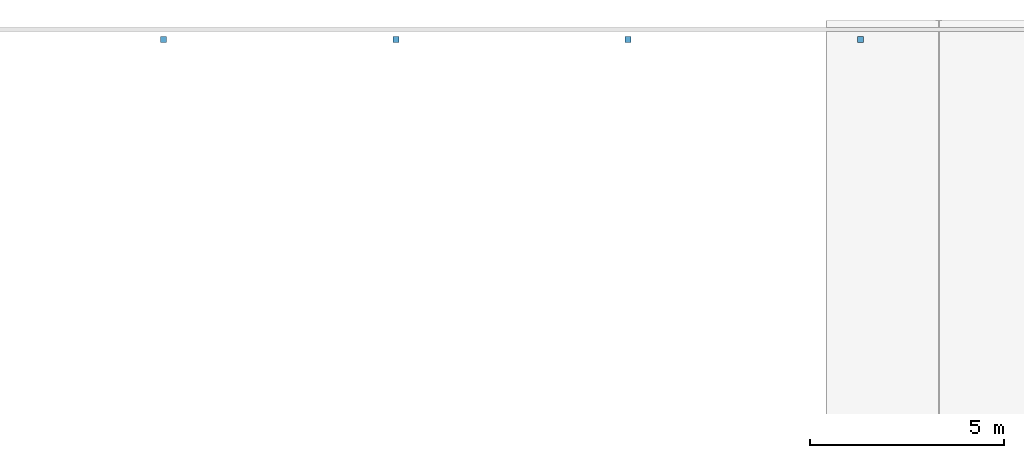
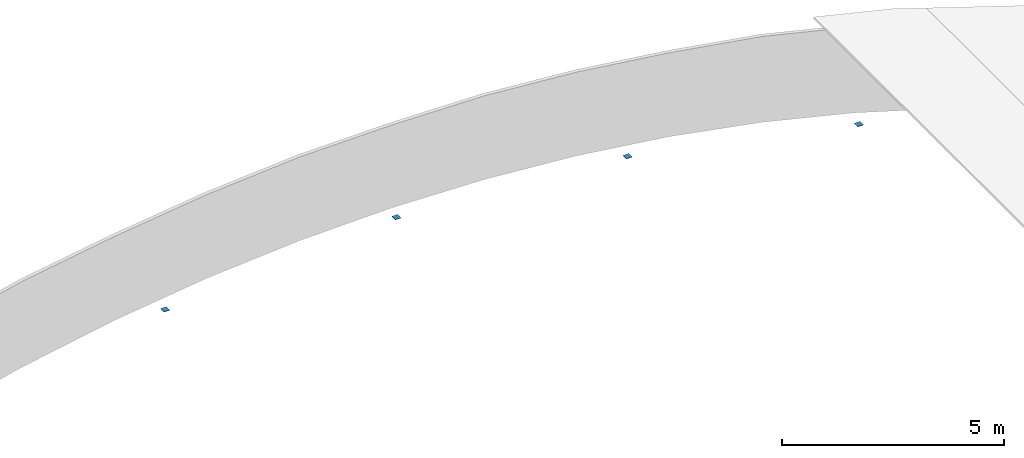
# One storey, part 12 of 17: 4 discrete accessories.
"""IFC4 building model written with IfcOpenShell, lengths in metres."""

from ifc_helpers import new_model, si_unit, direction, frame, origin, origin_2d, place, context, subcontext, project, spatial, rectangle, extrude, material, material_profile, profile_set, type_object, element, save


model = new_model("IFC4")

# Units and contexts
model_context = context("Model", 3, precision=1e-05, world=origin(), true_north=direction((0.0, 1.0)))
body_context = subcontext(model_context, "Body", "Model", "MODEL_VIEW")
ifc_project = project(units=[si_unit("LENGTHUNIT", "METRE"), si_unit("AREAUNIT", "SQUARE_METRE"), si_unit("VOLUMEUNIT", "CUBIC_METRE"), si_unit("PLANEANGLEUNIT", "RADIAN"), si_unit("MASSUNIT", "GRAM", prefix="KILO")], contexts=[model_context])

# Site, building, storey
site_placement = place(None, origin())
site = spatial("IfcSite", under=ifc_project, at=site_placement, CompositionType="ELEMENT")
building_placement = place(site_placement, origin())
building = spatial("IfcBuilding", under=site, at=building_placement, Name="Verrick Yard Athletic Hall", CompositionType="ELEMENT")
storey_placement = place(building_placement, frame((0.0, 0.0, 18.199951171875)))
storey = spatial("IfcBuildingStorey", under=building, at=storey_placement, Name="Roof", CompositionType="ELEMENT", Elevation=18.199951171875)

# Discrete accessories
ifc_material = material(Name="Structural steel 350W (CSA G40.21)", Category="steel")
ifc_material_profile = material_profile(ifc_material, rectangle(XDim=0.15234375, YDim=0.15234375, at=origin_2d()), Name="STR End cap plate 152x152x9.5")
ifc_profile_set = profile_set([ifc_material_profile], Name="Structural steel 350W (CSA G40.21)")
discrete_accessory_type = type_object("IfcDiscreteAccessoryType", Name="STR End cap plate 152x152x9.5", PredefinedType="BRACKET", material=ifc_profile_set)
discrete_accessory_placement = place(storey_placement, frame((145.60009765625, 107.50537109375, 2.42724609375), z_axis=(0.0, 0.0, 1.0), x_axis=(1.0, 0.0, 0.0)))
element("IfcDiscreteAccessory", 1, at=discrete_accessory_placement, inside=storey, type_object=discrete_accessory_type, Name="End cap HB-GP-AN-4 B", PredefinedType="BRACKET", context=body_context, shape_type="SweptSolid", body=[
    extrude(rectangle(XDim=0.15234375, YDim=0.15234375, at=origin_2d()), origin(), (0.0, 0.0, 1.0), 0.009765625),
])
for number, where, z_axis, x_axis, name in (
    (2, (157.60009765625, 107.50537109375, 0.77685546875), (0.0, 0.0, 1.0), (1.0, 0.0, 0.0), "End cap HB-GP-AN-6 B"),
    (3, (139.60009765625, 107.50537109375, 1.995849609375), (0.0, 0.0, 1.0), (1.0, 0.0, 0.0), "End cap HB-GP-AN-3 B"),
    (4, (151.60009765625, 107.50537109375, 1.995849609375), (0.0, 0.0, 1.0), (1.0, 0.0, 0.0), "End cap HB-GP-AN-5 B"),
):
    element("IfcDiscreteAccessory", number, at=place(storey_placement, frame(where, z_axis=z_axis, x_axis=x_axis)), inside=storey, type_object=discrete_accessory_type, Name=name, PredefinedType="BRACKET", context=body_context, shape_type="SweptSolid", body=[
        extrude(rectangle(XDim=0.15234375, YDim=0.15234375, at=origin_2d()), origin(), (0.0, 0.0, 1.0), 0.010009765625),
    ])

save(model, "model.ifc")
